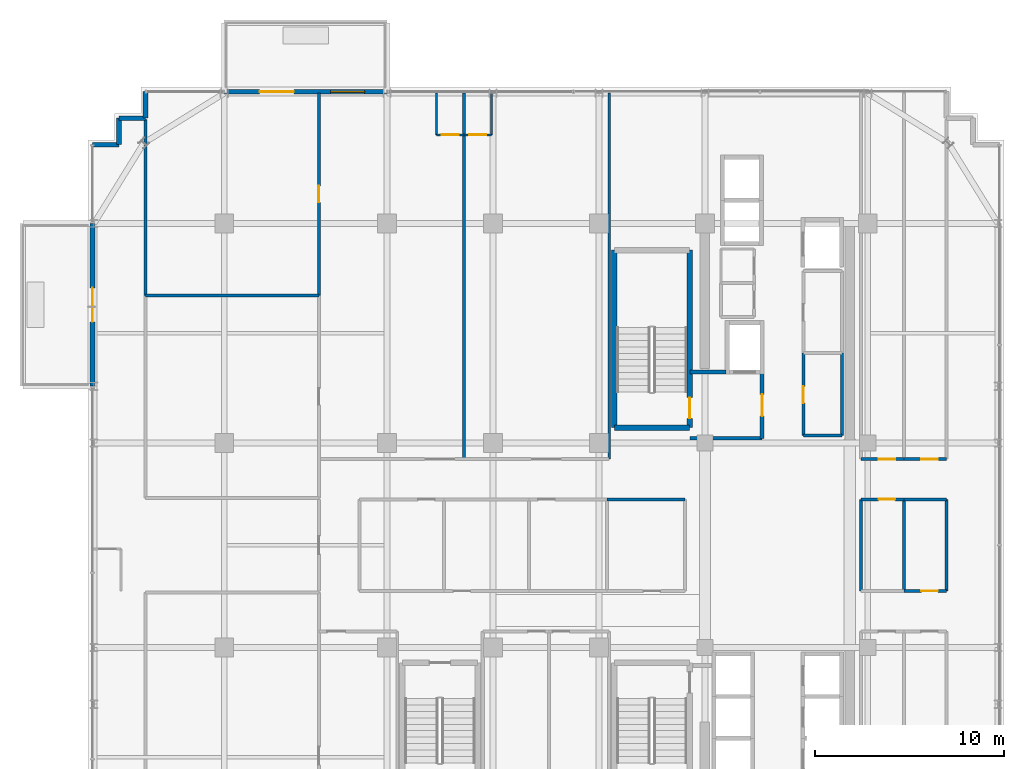
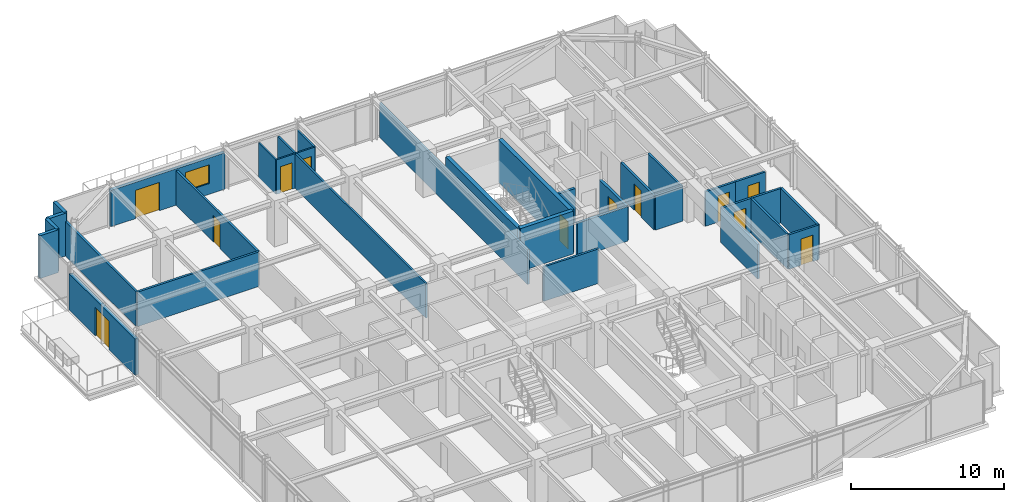
# One storey, part 31 of 36: 33 walls, 12 doors, 1 window, 13 openings.
"""IFC4 building model written with IfcOpenShell, lengths in metres."""

from ifc_helpers import new_model, si_unit, direction, frame, frame_2d, origin, place, context, subcontext, project, spatial, rectangle, extrude, source, transform, mapped, material, layer, layer_set, type_object, element, fill, save


model = new_model("IFC4")

# Units and contexts
model_context = context("Model", 3, precision=1e-05, world=origin(), true_north=direction((0.0, 1.0)))
body_context = subcontext(model_context, "Body", "Model", "MODEL_VIEW")
ifc_project = project(units=[si_unit("LENGTHUNIT", "METRE"), si_unit("AREAUNIT", "SQUARE_METRE"), si_unit("VOLUMEUNIT", "CUBIC_METRE"), si_unit("PLANEANGLEUNIT", "RADIAN"), si_unit("MASSUNIT", "GRAM", prefix="KILO")], contexts=[model_context])

# Site, building, storey
site_placement = place(None, origin())
site = spatial("IfcSite", under=ifc_project, at=site_placement, CompositionType="ELEMENT")
building_placement = place(site_placement, origin())
building = spatial("IfcBuilding", under=site, at=building_placement, Name="Nahalor Promenade Grand Hotel", CompositionType="ELEMENT")
storey_placement = place(building_placement, frame((0.0, 0.0, 241.89990234375)))
storey = spatial("IfcBuildingStorey", under=building, at=storey_placement, Name="L62", CompositionType="ELEMENT", Elevation=241.89990234375)

# Walls
ifc_material_1 = material(Name="Concrete B-50 (C40/50)", Category="concrete")
ifc_layer_1 = layer(ifc_material_1, 0.300048828125)
ifc_layer_set_1 = layer_set([ifc_layer_1], Name="Concrete B-50 (C40/50)")
wall_type_1 = type_object("IfcWallType", Name="Wall-ShaftShear-300", PredefinedType="SHEAR", material=ifc_layer_set_1)
shared_shape_1 = source(origin(), body_context, "Body", "SweptSolid", [
    extrude(rectangle(XDim=3.97998046875, YDim=0.300048828125, at=frame_2d((1.989990234375, 0.0))), origin(), (0.0, 0.0, 1.0), 3.41015625),
])
wall_1_placement = place(storey_placement, frame((3.610107421875, 6.2099609375, 0.0), z_axis=(0.0, 0.0, 1.0), x_axis=(1.0, 0.0, 0.0)))
element("IfcWall", 1, at=wall_1_placement, inside=storey, type_object=wall_type_1, Name="L62 Exit Stair ST1 Shaft Wall S", PredefinedType="SHEAR", context=body_context, shape_type="MappedRepresentation", body=[
    mapped(shared_shape_1, transform((0.0, 0.0, 0.0), scale=1.0)),
])
shared_shape_2 = source(origin(), body_context, "Body", "SweptSolid", [
    extrude(rectangle(XDim=9.380126953125, YDim=0.300048828125, at=frame_2d((4.68994140625, 0.0))), origin(), (0.0, 0.0, 1.0), 3.41015625),
])
wall_2_placement = place(storey_placement, frame((3.610107421875, 6.2099609375, 0.0), z_axis=(0.0, 0.0, 1.0), x_axis=(0.0, 1.0, 0.0)))
element("IfcWall", 2, at=wall_2_placement, inside=storey, type_object=wall_type_1, Name="L62 Exit Stair ST1 Shaft Wall W", PredefinedType="SHEAR", context=body_context, shape_type="MappedRepresentation", body=[
    mapped(shared_shape_2, transform((0.0, 0.0, 0.0), scale=1.0)),
])

# Wall, opening, door
wall_3_placement = place(storey_placement, frame((7.590087890625, 6.2099609375, 0.0), z_axis=(0.0, 0.0, 1.0), x_axis=(0.0, 1.0, 0.0)))
wall_3 = element("IfcWall", 3, at=wall_3_placement, inside=storey, type_object=wall_type_1, Name="L62 Exit Stair ST1 Shaft Wall E", PredefinedType="SHEAR", context=body_context, shape_type="MappedRepresentation", body=[
    mapped(shared_shape_2, transform((0.0, 0.0, 0.0), scale=1.0)),
])
opening_1_placement = place(wall_3_placement, frame((0.489990234375, 0.0, 0.0)))
opening_1 = element("IfcOpeningElement", 4, at=opening_1_placement, cuts=wall_3, Name="Opening D-ST1", PredefinedType="OPENING", context=body_context, shape_type="SweptSolid", body=[
    extrude(rectangle(XDim=1.10009765625, YDim=2.14990234375, at=frame_2d((0.550048828125, 1.074951171875))), frame((0.0, 0.159912109375, 0.0), z_axis=(0.0, -1.0, 0.0), x_axis=(1.0, 0.0, 0.0)), (0.0, 0.0, 1.0), 0.320068359375),
])
ifc_material_2 = material(Name="Steel S355JR", Category="steel")
door_type_1 = type_object("IfcDoorType", Name="Door-StairFire-1100", OperationType="NOTDEFINED", PredefinedType="DOOR", material=ifc_material_2)
shared_shape_3 = source(origin(), body_context, "Body", "SweptSolid", [
    extrude(rectangle(XDim=1.10009765625, YDim=2.14990234375, at=frame_2d((0.550048828125, 1.074951171875))), frame((0.0, 0.02490234375, 0.0), z_axis=(0.0, -1.0, 0.0), x_axis=(1.0, 0.0, 0.0)), (0.0, 0.0, 1.0), 0.050048828125),
])
door_1_placement = place(opening_1_placement, origin())
door_1 = element("IfcDoor", 5, at=door_1_placement, inside=storey, type_object=door_type_1, Name="DR-STAIR-ST1-L62", OperationType="SINGLE_SWING_LEFT", OverallHeight=2.14990234375, OverallWidth=1.10009765625, PredefinedType="DOOR", context=body_context, shape_type="MappedRepresentation", body=[
    mapped(shared_shape_3, transform((0.0, 0.0, 0.0), scale=1.0)),
])
fill(opening_1, door_1)

# Walls
ifc_material_3 = material(Name="Concrete B-40 (C32/40)", Category="concrete")
ifc_layer_2 = layer(ifc_material_3, 0.25)
ifc_layer_set_2 = layer_set([ifc_layer_2], Name="Concrete B-40 (C32/40)")
wall_type_2 = type_object("IfcWallType", Name="Wall-BronzePier-250", PredefinedType="STANDARD", material=ifc_layer_set_2)
shared_shape_4 = source(origin(), body_context, "Body", "SweptSolid", [
    extrude(rectangle(XDim=1.39990234375, YDim=0.25, at=frame_2d((0.699951171875, 0.0))), origin(), (0.0, 0.0, 1.0), 3.41015625),
])
for number, where, z_axis, x_axis, name in (
    (6, (-21.159912109375, 22.56005859375, 0.0), (0.0, 0.0, 1.0), (0.0, 1.0, 0.0), "W-L62-SR-09"),
    (7, (-23.9599609375, 21.159912109375, 0.0), (0.0, 0.0, 1.0), (1.0, 0.0, 0.0), "W-L62-SR-12"),
):
    element("IfcWall", number, at=place(storey_placement, frame(where, z_axis=z_axis, x_axis=x_axis)), inside=storey, type_object=wall_type_2, Name=name, PredefinedType="STANDARD", context=body_context, shape_type="MappedRepresentation", body=[
        mapped(shared_shape_4, transform((0.0, 0.0, 0.0), scale=1.0)),
    ])
shared_shape_5 = source(origin(), body_context, "Body", "SweptSolid", [
    extrude(rectangle(XDim=1.400146484375, YDim=0.25, at=frame_2d((0.7001953125, 0.0))), origin(), (0.0, 0.0, 1.0), 3.41015625),
])
for number, where, z_axis, x_axis, name in (
    (8, (-22.56005859375, 22.56005859375, 0.0), (0.0, 0.0, 1.0), (1.0, 0.0, 0.0), "W-L62-SR-10"),
    (9, (-22.56005859375, 21.159912109375, 0.0), (0.0, 0.0, 1.0), (0.0, 1.0, 0.0), "W-L62-SR-11"),
):
    element("IfcWall", number, at=place(storey_placement, frame(where, z_axis=z_axis, x_axis=x_axis)), inside=storey, type_object=wall_type_2, Name=name, PredefinedType="STANDARD", context=body_context, shape_type="MappedRepresentation", body=[
        mapped(shared_shape_5, transform((0.0, 0.0, 0.0), scale=1.0)),
    ])

# Wall, openings, door, window
ifc_layer_3 = layer(ifc_material_3, 0.260009765625)
ifc_layer_set_3 = layer_set([ifc_layer_3], Name="Concrete B-40 (C32/40)")
wall_type_3 = type_object("IfcWallType", Name="Wall-BalconyWall-260", PredefinedType="STANDARD", material=ifc_layer_set_3)
shared_shape_6 = source(origin(), body_context, "Body", "SweptSolid", [
    extrude(rectangle(XDim=8.60009765625, YDim=0.260009765625, at=frame_2d((4.300048828125, 0.0))), origin(), (0.0, 0.0, 1.0), 2.89013671875),
])
wall_4_placement = place(storey_placement, frame((-17.0, 23.9599609375, 0.0), z_axis=(0.0, 0.0, 1.0), x_axis=(1.0, 0.0, 0.0)))
wall_4 = element("IfcWall", 10, at=wall_4_placement, inside=storey, type_object=wall_type_3, Name="W-L62-BALC-N-2", PredefinedType="STANDARD", context=body_context, shape_type="MappedRepresentation", body=[
    mapped(shared_shape_6, transform((0.0, 0.0, 0.0), scale=1.0)),
])
opening_2_placement = place(wall_4_placement, frame((1.875, 0.0, 0.0)))
opening_2 = element("IfcOpeningElement", 11, at=opening_2_placement, cuts=wall_4, Name="Opening D-BC1", PredefinedType="OPENING", context=body_context, shape_type="SweptSolid", body=[
    extrude(rectangle(XDim=1.800048828125, YDim=2.25, at=frame_2d((0.89990234375, 1.125))), frame((0.0, 0.139892578125, 0.0), z_axis=(0.0, -1.0, 0.0), x_axis=(1.0, 0.0, 0.0)), (0.0, 0.0, 1.0), 0.280029296875),
])
opening_3_placement = place(wall_4_placement, frame((5.625, 0.0, 0.85009765625)))
opening_3 = element("IfcOpeningElement", 12, at=opening_3_placement, cuts=wall_4, Name="Opening WN-01", PredefinedType="OPENING", context=body_context, shape_type="SweptSolid", body=[
    extrude(rectangle(XDim=1.800048828125, YDim=1.5, at=frame_2d((0.89990234375, 0.75))), frame((0.0, 0.139892578125, 0.0), z_axis=(0.0, -1.0, 0.0), x_axis=(1.0, 0.0, 0.0)), (0.0, 0.0, 1.0), 0.280029296875),
])
ifc_material_4 = material(Name="Anodised Bronze Aluminium EN AW-6063 T6", Category="aluminium")
door_type_2 = type_object("IfcDoorType", Name="Door-BalconySlide-1800", OperationType="DOUBLE_DOOR_SLIDING", PredefinedType="DOOR", material=ifc_material_4)
shared_shape_7 = source(origin(), body_context, "Body", "SweptSolid", [
    extrude(rectangle(XDim=1.800048828125, YDim=2.25, at=frame_2d((0.89990234375, 1.125))), frame((0.0, 0.02490234375, 0.0), z_axis=(0.0, -1.0, 0.0), x_axis=(1.0, 0.0, 0.0)), (0.0, 0.0, 1.0), 0.050048828125),
])
door_2_placement = place(opening_2_placement, origin())
door_2 = element("IfcDoor", 13, at=door_2_placement, inside=storey, type_object=door_type_2, Name="DR-L62-BALC-N-2", OperationType="DOUBLE_DOOR_SLIDING", OverallHeight=2.25, OverallWidth=1.800048828125, PredefinedType="DOOR", context=body_context, shape_type="MappedRepresentation", body=[
    mapped(shared_shape_7, transform((0.0, 0.0, 0.0), scale=1.0)),
])
fill(opening_2, door_2)
ifc_material_5 = material(Name="Low-E Laminated Solar Glass", Category="glass")
window_type = type_object("IfcWindowType", Name="Win-ChicagoBay-1800x1500", PartitioningType="SINGLE_PANEL", PredefinedType="WINDOW", material=ifc_material_5)
shared_shape_8 = source(origin(), body_context, "Body", "SweptSolid", [
    extrude(rectangle(XDim=1.800048828125, YDim=1.5, at=frame_2d((0.89990234375, 0.75))), frame((0.0, 0.030029296875, 0.0), z_axis=(0.0, -1.0, 0.0), x_axis=(1.0, 0.0, 0.0)), (0.0, 0.0, 1.0), 0.06005859375),
])
window_placement = place(opening_3_placement, origin())
window = element("IfcWindow", 14, at=window_placement, inside=storey, type_object=window_type, Name="WN-L62-BALC-N-2-1", OverallHeight=1.5, OverallWidth=1.800048828125, PartitioningType="SINGLE_PANEL", PredefinedType="WINDOW", context=body_context, shape_type="MappedRepresentation", body=[
    mapped(shared_shape_8, transform((0.0, 0.0, 0.0), scale=1.0)),
])
fill(opening_3, window)

# Wall, opening, door
wall_5_placement = place(storey_placement, frame((-23.9599609375, 8.39990234375, 0.0), z_axis=(0.0, 0.0, 1.0), x_axis=(0.0, 1.0, 0.0)))
wall_5 = element("IfcWall", 15, at=wall_5_placement, inside=storey, type_object=wall_type_3, Name="W-L62-BALC-W-2", PredefinedType="STANDARD", context=body_context, shape_type="MappedRepresentation", body=[
    mapped(shared_shape_6, transform((0.0, 0.0, 0.0), scale=1.0)),
])
opening_4_placement = place(wall_5_placement, frame((3.39990234375, 0.0, 0.0)))
opening_4 = element("IfcOpeningElement", 16, at=opening_4_placement, cuts=wall_5, Name="Opening D-BC1", PredefinedType="OPENING", context=body_context, shape_type="SweptSolid", body=[
    extrude(rectangle(XDim=1.800048828125, YDim=2.25, at=frame_2d((0.89990234375, 1.125))), frame((0.0, 0.139892578125, 0.0), z_axis=(0.0, -1.0, 0.0), x_axis=(1.0, 0.0, 0.0)), (0.0, 0.0, 1.0), 0.280029296875),
])
door_3_placement = place(opening_4_placement, origin())
door_3 = element("IfcDoor", 17, at=door_3_placement, inside=storey, type_object=door_type_2, Name="DR-L62-BALC-W-2", OperationType="DOUBLE_DOOR_SLIDING", OverallHeight=2.25, OverallWidth=1.800048828125, PredefinedType="DOOR", context=body_context, shape_type="MappedRepresentation", body=[
    mapped(shared_shape_7, transform((0.0, 0.0, 0.0), scale=1.0)),
])
fill(opening_4, door_3)

# Walls
ifc_layer_4 = layer(ifc_material_3, 0.199951171875)
ifc_layer_set_4 = layer_set([ifc_layer_4], Name="Concrete B-40 (C32/40)")
wall_type_4 = type_object("IfcWallType", Name="Wall-PartFire-200", PredefinedType="PARTITIONING", material=ifc_layer_set_4)
shared_shape_9 = source(origin(), body_context, "Body", "SweptSolid", [
    extrude(rectangle(XDim=3.81982421875, YDim=0.199951171875, at=frame_2d((1.909912109375, 0.0))), origin(), (0.0, 0.0, 1.0), 2.75),
])
wall_6_placement = place(storey_placement, frame((7.60009765625, 5.64990234375, 0.0), z_axis=(0.0, 0.0, 1.0), x_axis=(1.0, 0.0, 0.0)))
element("IfcWall", 18, at=wall_6_placement, inside=storey, type_object=wall_type_4, Name="W-L62-FF1-S", PredefinedType="PARTITIONING", context=body_context, shape_type="MappedRepresentation", body=[
    mapped(shared_shape_9, transform((0.0, 0.0, 0.0), scale=1.0)),
])
shared_shape_10 = source(origin(), body_context, "Body", "SweptSolid", [
    extrude(rectangle(XDim=1.89990234375, YDim=0.199951171875, at=frame_2d((0.949951171875, 0.0))), origin(), (0.0, 0.0, 1.0), 2.75),
])
wall_7_placement = place(storey_placement, frame((7.60009765625, 9.14990234375, 0.0), z_axis=(0.0, 0.0, 1.0), x_axis=(1.0, 0.0, 0.0)))
element("IfcWall", 19, at=wall_7_placement, inside=storey, type_object=wall_type_4, Name="W-L62-FF1-N", PredefinedType="PARTITIONING", context=body_context, shape_type="MappedRepresentation", body=[
    mapped(shared_shape_10, transform((0.0, 0.0, 0.0), scale=1.0)),
])

# Wall, opening, door
shared_shape_11 = source(origin(), body_context, "Body", "SweptSolid", [
    extrude(rectangle(XDim=3.5, YDim=0.199951171875, at=frame_2d((1.75, 0.0))), origin(), (0.0, 0.0, 1.0), 2.75),
])
wall_8_placement = place(storey_placement, frame((11.419921875, 5.64990234375, 0.0), z_axis=(0.0, 0.0, 1.0), x_axis=(0.0, 1.0, 0.0)))
wall_8 = element("IfcWall", 20, at=wall_8_placement, inside=storey, type_object=wall_type_4, Name="W-L62-FF1-E", PredefinedType="PARTITIONING", context=body_context, shape_type="MappedRepresentation", body=[
    mapped(shared_shape_11, transform((0.0, 0.0, 0.0), scale=1.0)),
])
opening_5_placement = place(wall_8_placement, frame((1.175048828125, 0.0, 0.0)))
opening_5 = element("IfcOpeningElement", 21, at=opening_5_placement, cuts=wall_8, Name="Opening D-FF1", PredefinedType="OPENING", context=body_context, shape_type="SweptSolid", body=[
    extrude(rectangle(XDim=1.14990234375, YDim=2.14990234375, at=frame_2d((0.574951171875, 1.074951171875))), frame((0.0, 0.10986328125, 0.0), z_axis=(0.0, -1.0, 0.0), x_axis=(1.0, 0.0, 0.0)), (0.0, 0.0, 1.0), 0.219970703125),
])
door_type_3 = type_object("IfcDoorType", Name="Door-FFLobby-1150", OperationType="NOTDEFINED", PredefinedType="DOOR", material=ifc_material_2)
shared_shape_12 = source(origin(), body_context, "Body", "SweptSolid", [
    extrude(rectangle(XDim=1.14990234375, YDim=2.14990234375, at=frame_2d((0.574951171875, 1.074951171875))), frame((0.0, 0.02490234375, 0.0), z_axis=(0.0, -1.0, 0.0), x_axis=(1.0, 0.0, 0.0)), (0.0, 0.0, 1.0), 0.050048828125),
])
door_4_placement = place(opening_5_placement, frame((1.14990234375, 0.0, 0.0), z_axis=(0.0, 0.0, 1.0), x_axis=(-1.0, 0.0, 0.0)))
door_4 = element("IfcDoor", 22, at=door_4_placement, inside=storey, type_object=door_type_3, Name="DR-L62-FFL1", OperationType="SINGLE_SWING_LEFT", OverallHeight=2.14990234375, OverallWidth=1.14990234375, PredefinedType="DOOR", context=body_context, shape_type="MappedRepresentation", body=[
    mapped(shared_shape_12, transform((0.0, 0.0, 0.0), scale=1.0)),
])
fill(opening_5, door_4)

# Wall
ifc_material_6 = material(Name="Acoustic Mineral Gypsum", Category="gypsum")
ifc_layer_5 = layer(ifc_material_6, 0.159912109375)
ifc_layer_set_5 = layer_set([ifc_layer_5], Name="Acoustic Mineral Gypsum")
wall_type_5 = type_object("IfcWallType", Name="Wall-PartCorridor-160", PredefinedType="PARTITIONING", material=ifc_layer_set_5)
shared_shape_13 = source(origin(), body_context, "Body", "SweptSolid", [
    extrude(rectangle(XDim=2.0498046875, YDim=0.159912109375, at=frame_2d((1.02490234375, 0.0))), origin(), (0.0, 0.0, 1.0), 2.75),
])
wall_9_placement = place(storey_placement, frame((13.60009765625, 5.800048828125, 0.0), z_axis=(0.0, 0.0, 1.0), x_axis=(1.0, 0.0, 0.0)))
element("IfcWall", 23, at=wall_9_placement, inside=storey, type_object=wall_type_5, Name="W-L62-FRB1A-S", PredefinedType="PARTITIONING", context=body_context, shape_type="MappedRepresentation", body=[
    mapped(shared_shape_13, transform((0.0, 0.0, 0.0), scale=1.0)),
])

# Wall, opening, door
shared_shape_14 = source(origin(), body_context, "Body", "SweptSolid", [
    extrude(rectangle(XDim=2.255126953125, YDim=0.159912109375, at=frame_2d((1.12744140625, 0.0))), origin(), (0.0, 0.0, 1.0), 2.75),
])
wall_10_placement = place(storey_placement, frame((16.64990234375, 4.550048828125, 0.0), z_axis=(0.0, 0.0, 1.0), x_axis=(1.0, 0.0, 0.0)))
wall_10 = element("IfcWall", 24, at=wall_10_placement, inside=storey, type_object=wall_type_5, Name="W-L62-ENE1-S", PredefinedType="PARTITIONING", context=body_context, shape_type="MappedRepresentation", body=[
    mapped(shared_shape_14, transform((0.0, 0.0, 0.0), scale=1.0)),
])
opening_6_placement = place(wall_10_placement, frame((0.924072265625, 0.0, 0.0)))
opening_6 = element("IfcOpeningElement", 25, at=opening_6_placement, cuts=wall_10, Name="Opening D-03", PredefinedType="OPENING", context=body_context, shape_type="SweptSolid", body=[
    extrude(rectangle(XDim=0.8798828125, YDim=2.10009765625, at=frame_2d((0.43994140625, 1.050048828125))), frame((0.0, 0.08984375, 0.0), z_axis=(0.0, -1.0, 0.0), x_axis=(1.0, 0.0, 0.0)), (0.0, 0.0, 1.0), 0.179931640625),
])
ifc_material_7 = material(Name="Fire-Rated Timber Composite", Category="wood")
door_type_4 = type_object("IfcDoorType", Name="Door-BathSwing-880", OperationType="NOTDEFINED", PredefinedType="DOOR", material=ifc_material_7)
shared_shape_15 = source(origin(), body_context, "Body", "SweptSolid", [
    extrude(rectangle(XDim=0.8798828125, YDim=2.10009765625, at=frame_2d((0.43994140625, 1.050048828125))), frame((0.0, 0.02490234375, 0.0), z_axis=(0.0, -1.0, 0.0), x_axis=(1.0, 0.0, 0.0)), (0.0, 0.0, 1.0), 0.050048828125),
])
door_5_placement = place(opening_6_placement, origin())
door_5 = element("IfcDoor", 26, at=door_5_placement, inside=storey, type_object=door_type_4, Name="DR-L62-ENE1", OperationType="SINGLE_SWING_LEFT", OverallHeight=2.10009765625, OverallWidth=0.8798828125, PredefinedType="DOOR", context=body_context, shape_type="MappedRepresentation", body=[
    mapped(shared_shape_15, transform((0.0, 0.0, 0.0), scale=1.0)),
])
fill(opening_6, door_5)

wall_11_placement = place(storey_placement, frame((16.64990234375, 2.419921875, 0.0), z_axis=(0.0, 0.0, 1.0), x_axis=(1.0, 0.0, 0.0)))
wall_11 = element("IfcWall", 27, at=wall_11_placement, inside=storey, type_object=wall_type_5, Name="W-L62-ECW1-N", PredefinedType="PARTITIONING", context=body_context, shape_type="MappedRepresentation", body=[
    mapped(shared_shape_14, transform((0.0, 0.0, 0.0), scale=1.0)),
])
opening_7_placement = place(wall_11_placement, frame((0.924072265625, 0.0, 0.0)))
opening_7 = element("IfcOpeningElement", 28, at=opening_7_placement, cuts=wall_11, Name="Opening D-03", PredefinedType="OPENING", context=body_context, shape_type="SweptSolid", body=[
    extrude(rectangle(XDim=0.8798828125, YDim=2.10009765625, at=frame_2d((0.43994140625, 1.050048828125))), frame((0.0, 0.08984375, 0.0), z_axis=(0.0, -1.0, 0.0), x_axis=(1.0, 0.0, 0.0)), (0.0, 0.0, 1.0), 0.179931640625),
])
door_6_placement = place(opening_7_placement, frame((0.8798828125, 0.0, 0.0), z_axis=(0.0, 0.0, 1.0), x_axis=(-1.0, 0.0, 0.0)))
door_6 = element("IfcDoor", 29, at=door_6_placement, inside=storey, type_object=door_type_4, Name="DR-L62-ECW1", OperationType="SINGLE_SWING_LEFT", OverallHeight=2.10009765625, OverallWidth=0.8798828125, PredefinedType="DOOR", context=body_context, shape_type="MappedRepresentation", body=[
    mapped(shared_shape_15, transform((0.0, 0.0, 0.0), scale=1.0)),
])
fill(opening_7, door_6)

shared_shape_16 = source(origin(), body_context, "Body", "SweptSolid", [
    extrude(rectangle(XDim=2.2548828125, YDim=0.159912109375, at=frame_2d((1.12744140625, 0.0))), origin(), (0.0, 0.0, 1.0), 2.75),
])
wall_12_placement = place(storey_placement, frame((18.905029296875, 4.550048828125, 0.0), z_axis=(0.0, 0.0, 1.0), x_axis=(1.0, 0.0, 0.0)))
wall_12 = element("IfcWall", 30, at=wall_12_placement, inside=storey, type_object=wall_type_5, Name="W-L62-ENE2-S", PredefinedType="PARTITIONING", context=body_context, shape_type="MappedRepresentation", body=[
    mapped(shared_shape_16, transform((0.0, 0.0, 0.0), scale=1.0)),
])
opening_8_placement = place(wall_12_placement, frame((0.924072265625, 0.0, 0.0)))
opening_8 = element("IfcOpeningElement", 31, at=opening_8_placement, cuts=wall_12, Name="Opening D-03", PredefinedType="OPENING", context=body_context, shape_type="SweptSolid", body=[
    extrude(rectangle(XDim=0.8798828125, YDim=2.10009765625, at=frame_2d((0.43994140625, 1.050048828125))), frame((0.0, 0.08984375, 0.0), z_axis=(0.0, -1.0, 0.0), x_axis=(1.0, 0.0, 0.0)), (0.0, 0.0, 1.0), 0.179931640625),
])
door_7_placement = place(opening_8_placement, origin())
door_7 = element("IfcDoor", 32, at=door_7_placement, inside=storey, type_object=door_type_4, Name="DR-L62-ENE2", OperationType="SINGLE_SWING_RIGHT", OverallHeight=2.10009765625, OverallWidth=0.8798828125, PredefinedType="DOOR", context=body_context, shape_type="MappedRepresentation", body=[
    mapped(shared_shape_15, transform((0.0, 0.0, 0.0), scale=1.0)),
])
fill(opening_8, door_7)

wall_13_placement = place(storey_placement, frame((18.905029296875, -2.419921875, 0.0), z_axis=(0.0, 0.0, 1.0), x_axis=(1.0, 0.0, 0.0)))
wall_13 = element("IfcWall", 33, at=wall_13_placement, inside=storey, type_object=wall_type_5, Name="W-L62-ECW2-S", PredefinedType="PARTITIONING", context=body_context, shape_type="MappedRepresentation", body=[
    mapped(shared_shape_16, transform((0.0, 0.0, 0.0), scale=1.0)),
])
opening_9_placement = place(wall_13_placement, frame((0.924072265625, 0.0, 0.0)))
opening_9 = element("IfcOpeningElement", 34, at=opening_9_placement, cuts=wall_13, Name="Opening D-03", PredefinedType="OPENING", context=body_context, shape_type="SweptSolid", body=[
    extrude(rectangle(XDim=0.8798828125, YDim=2.10009765625, at=frame_2d((0.43994140625, 1.050048828125))), frame((0.0, 0.08984375, 0.0), z_axis=(0.0, -1.0, 0.0), x_axis=(1.0, 0.0, 0.0)), (0.0, 0.0, 1.0), 0.179931640625),
])
door_8_placement = place(opening_9_placement, origin())
door_8 = element("IfcDoor", 35, at=door_8_placement, inside=storey, type_object=door_type_4, Name="DR-L62-ECW2", OperationType="SINGLE_SWING_RIGHT", OverallHeight=2.10009765625, OverallWidth=0.8798828125, PredefinedType="DOOR", context=body_context, shape_type="MappedRepresentation", body=[
    mapped(shared_shape_15, transform((0.0, 0.0, 0.0), scale=1.0)),
])
fill(opening_9, door_8)

# Wall
wall_14_placement = place(storey_placement, frame((18.905029296875, 2.419921875, 0.0), z_axis=(0.0, 0.0, 1.0), x_axis=(1.0, 0.0, 0.0)))
element("IfcWall", 36, at=wall_14_placement, inside=storey, type_object=wall_type_5, Name="W-L62-ECW2-N", PredefinedType="PARTITIONING", context=body_context, shape_type="MappedRepresentation", body=[
    mapped(shared_shape_16, transform((0.0, 0.0, 0.0), scale=1.0)),
])

# Wall, opening, door
ifc_layer_6 = layer(ifc_material_6, 0.1201171875)
ifc_layer_set_6 = layer_set([ifc_layer_6], Name="Acoustic Mineral Gypsum")
wall_type_6 = type_object("IfcWallType", Name="Wall-PartBath-120", PredefinedType="PARTITIONING", material=ifc_layer_set_6)
shared_shape_17 = source(origin(), body_context, "Body", "SweptSolid", [
    extrude(rectangle(XDim=1.449951171875, YDim=0.1201171875, at=frame_2d((0.72509765625, 0.0))), origin(), (0.0, 0.0, 1.0), 2.75),
])
wall_15_placement = place(storey_placement, frame((-5.780029296875, 21.679931640625, 0.0), z_axis=(0.0, 0.0, 1.0), x_axis=(1.0, 0.0, 0.0)))
wall_15 = element("IfcWall", 37, at=wall_15_placement, inside=storey, type_object=wall_type_6, Name="W-L62-N1-BH", PredefinedType="PARTITIONING", context=body_context, shape_type="MappedRepresentation", body=[
    mapped(shared_shape_17, transform((0.0, 0.0, 0.0), scale=1.0)),
])
opening_10_placement = place(wall_15_placement, frame((0.284912109375, 0.0, 0.0)))
opening_10 = element("IfcOpeningElement", 38, at=opening_10_placement, cuts=wall_15, Name="Opening D-03", PredefinedType="OPENING", context=body_context, shape_type="SweptSolid", body=[
    extrude(rectangle(XDim=0.8798828125, YDim=2.10009765625, at=frame_2d((0.43994140625, 1.050048828125))), frame((0.0, 0.070068359375, 0.0), z_axis=(0.0, -1.0, 0.0), x_axis=(1.0, 0.0, 0.0)), (0.0, 0.0, 1.0), 0.14013671875),
])
door_9_placement = place(opening_10_placement, origin())
door_9 = element("IfcDoor", 39, at=door_9_placement, inside=storey, type_object=door_type_4, Name="DR-L62-N1-BATH", OperationType="SINGLE_SWING_LEFT", OverallHeight=2.10009765625, OverallWidth=0.8798828125, PredefinedType="DOOR", context=body_context, shape_type="MappedRepresentation", body=[
    mapped(shared_shape_15, transform((0.0, 0.0, 0.0), scale=1.0)),
])
fill(opening_10, door_9)

# Walls
shared_shape_18 = source(origin(), body_context, "Body", "SweptSolid", [
    extrude(rectangle(XDim=2.219970703125, YDim=0.1201171875, at=frame_2d((1.10986328125, 0.0))), origin(), (0.0, 0.0, 1.0), 2.75),
])
for number, where, z_axis, x_axis, name in (
    (40, (-5.780029296875, 21.679931640625, 0.0), (0.0, 0.0, 1.0), (0.0, 1.0, 0.0), "W-L62-N1-BV"),
    (41, (-2.8798828125, 21.679931640625, 0.0), (0.0, 0.0, 1.0), (0.0, 1.0, 0.0), "W-L62-N2-BV"),
):
    element("IfcWall", number, at=place(storey_placement, frame(where, z_axis=z_axis, x_axis=x_axis)), inside=storey, type_object=wall_type_6, Name=name, PredefinedType="PARTITIONING", context=body_context, shape_type="MappedRepresentation", body=[
        mapped(shared_shape_18, transform((0.0, 0.0, 0.0), scale=1.0)),
    ])
ifc_layer_7 = layer(ifc_material_6, 0.139892578125)
ifc_layer_set_7 = layer_set([ifc_layer_7], Name="Acoustic Mineral Gypsum")
wall_type_7 = type_object("IfcWallType", Name="Wall-PartSuite-140", PredefinedType="PARTITIONING", material=ifc_layer_set_7)
shared_shape_19 = source(origin(), body_context, "Body", "SweptSolid", [
    extrude(rectangle(XDim=19.349853515625, YDim=0.139892578125, at=frame_2d((9.6748046875, 0.0))), origin(), (0.0, 0.0, 1.0), 2.75),
])
for number, where, z_axis, x_axis, name in (
    (42, (3.340087890625, 4.550048828125, 0.0), (0.0, 0.0, 1.0), (0.0, 1.0, 0.0), "W-L62-NW-ENDE"),
    (43, (-4.330078125, 4.550048828125, 0.0), (0.0, 0.0, 1.0), (0.0, 1.0, 0.0), "W-L62-NP-1"),
):
    element("IfcWall", number, at=place(storey_placement, frame(where, z_axis=z_axis, x_axis=x_axis)), inside=storey, type_object=wall_type_7, Name=name, PredefinedType="PARTITIONING", context=body_context, shape_type="MappedRepresentation", body=[
        mapped(shared_shape_19, transform((0.0, 0.0, 0.0), scale=1.0)),
    ])

# Wall, opening, door
shared_shape_20 = source(origin(), body_context, "Body", "SweptSolid", [
    extrude(rectangle(XDim=1.4501953125, YDim=0.1201171875, at=frame_2d((0.72509765625, 0.0))), origin(), (0.0, 0.0, 1.0), 2.75),
])
wall_16_placement = place(storey_placement, frame((-4.330078125, 21.679931640625, 0.0), z_axis=(0.0, 0.0, 1.0), x_axis=(1.0, 0.0, 0.0)))
wall_16 = element("IfcWall", 44, at=wall_16_placement, inside=storey, type_object=wall_type_6, Name="W-L62-N2-BH", PredefinedType="PARTITIONING", context=body_context, shape_type="MappedRepresentation", body=[
    mapped(shared_shape_20, transform((0.0, 0.0, 0.0), scale=1.0)),
])
opening_11_placement = place(wall_16_placement, frame((0.284912109375, 0.0, 0.0)))
opening_11 = element("IfcOpeningElement", 45, at=opening_11_placement, cuts=wall_16, Name="Opening D-03", PredefinedType="OPENING", context=body_context, shape_type="SweptSolid", body=[
    extrude(rectangle(XDim=0.8798828125, YDim=2.10009765625, at=frame_2d((0.43994140625, 1.050048828125))), frame((0.0, 0.070068359375, 0.0), z_axis=(0.0, -1.0, 0.0), x_axis=(1.0, 0.0, 0.0)), (0.0, 0.0, 1.0), 0.14013671875),
])
door_10_placement = place(opening_11_placement, origin())
door_10 = element("IfcDoor", 46, at=door_10_placement, inside=storey, type_object=door_type_4, Name="DR-L62-N2-BATH", OperationType="SINGLE_SWING_RIGHT", OverallHeight=2.10009765625, OverallWidth=0.8798828125, PredefinedType="DOOR", context=body_context, shape_type="MappedRepresentation", body=[
    mapped(shared_shape_15, transform((0.0, 0.0, 0.0), scale=1.0)),
])
fill(opening_11, door_10)

# Walls
shared_shape_21 = source(origin(), body_context, "Body", "SweptSolid", [
    extrude(rectangle(XDim=4.83984375, YDim=0.159912109375, at=frame_2d((2.419921875, 0.0))), origin(), (0.0, 0.0, 1.0), 2.75),
])
for number, where, z_axis, x_axis, name in (
    (47, (16.64990234375, -2.419921875, 0.0), (0.0, 0.0, 1.0), (0.0, 1.0, 0.0), "W-L62-ECW1-W"),
    (48, (18.905029296875, -2.419921875, 0.0), (0.0, 0.0, 1.0), (0.0, 1.0, 0.0), "W-L62-ECW1-E"),
    (49, (21.159912109375, -2.419921875, 0.0), (0.0, 0.0, 1.0), (0.0, 1.0, 0.0), "W-L62-ECW2-E"),
):
    element("IfcWall", number, at=place(storey_placement, frame(where, z_axis=z_axis, x_axis=x_axis)), inside=storey, type_object=wall_type_5, Name=name, PredefinedType="PARTITIONING", context=body_context, shape_type="MappedRepresentation", body=[
        mapped(shared_shape_21, transform((0.0, 0.0, 0.0), scale=1.0)),
    ])

# Wall, opening, door
shared_shape_22 = source(origin(), body_context, "Body", "SweptSolid", [
    extrude(rectangle(XDim=4.349853515625, YDim=0.159912109375, at=frame_2d((2.1748046875, 0.0))), origin(), (0.0, 0.0, 1.0), 2.75),
])
wall_17_placement = place(storey_placement, frame((13.60009765625, 5.800048828125, 0.0), z_axis=(0.0, 0.0, 1.0), x_axis=(0.0, 1.0, 0.0)))
wall_17 = element("IfcWall", 50, at=wall_17_placement, inside=storey, type_object=wall_type_5, Name="W-L62-FRB1A-W", PredefinedType="PARTITIONING", context=body_context, shape_type="MappedRepresentation", body=[
    mapped(shared_shape_22, transform((0.0, 0.0, 0.0), scale=1.0)),
])
opening_12_placement = place(wall_17_placement, frame((1.7099609375, 0.0, 0.0)))
opening_12 = element("IfcOpeningElement", 51, at=opening_12_placement, cuts=wall_17, Name="Opening D-03", PredefinedType="OPENING", context=body_context, shape_type="SweptSolid", body=[
    extrude(rectangle(XDim=0.8798828125, YDim=2.10009765625, at=frame_2d((0.43994140625, 1.050048828125))), frame((0.0, 0.08984375, 0.0), z_axis=(0.0, -1.0, 0.0), x_axis=(1.0, 0.0, 0.0)), (0.0, 0.0, 1.0), 0.179931640625),
])
door_11_placement = place(opening_12_placement, frame((0.8798828125, 0.0, 0.0), z_axis=(0.0, 0.0, 1.0), x_axis=(-1.0, 0.0, 0.0)))
door_11 = element("IfcDoor", 52, at=door_11_placement, inside=storey, type_object=door_type_4, Name="DR-L62-FRB1A", OperationType="SINGLE_SWING_LEFT", OverallHeight=2.10009765625, OverallWidth=0.8798828125, PredefinedType="DOOR", context=body_context, shape_type="MappedRepresentation", body=[
    mapped(shared_shape_15, transform((0.0, 0.0, 0.0), scale=1.0)),
])
fill(opening_12, door_11)

# Walls
wall_18_placement = place(storey_placement, frame((15.64990234375, 5.800048828125, 0.0), z_axis=(0.0, 0.0, 1.0), x_axis=(0.0, 1.0, 0.0)))
element("IfcWall", 53, at=wall_18_placement, inside=storey, type_object=wall_type_5, Name="W-L62-FRB1A-E", PredefinedType="PARTITIONING", context=body_context, shape_type="MappedRepresentation", body=[
    mapped(shared_shape_22, transform((0.0, 0.0, 0.0), scale=1.0)),
])
shared_shape_23 = source(origin(), body_context, "Body", "SweptSolid", [
    extrude(rectangle(XDim=4.128173828125, YDim=0.159912109375, at=frame_2d((2.06396484375, 0.0))), origin(), (0.0, 0.0, 1.0), 2.75),
])
wall_19_placement = place(storey_placement, frame((3.221923828125, 2.419921875, 0.0), z_axis=(0.0, 0.0, 1.0), x_axis=(1.0, 0.0, 0.0)))
element("IfcWall", 54, at=wall_19_placement, inside=storey, type_object=wall_type_5, Name="W-L62-CM4-N", PredefinedType="PARTITIONING", context=body_context, shape_type="MappedRepresentation", body=[
    mapped(shared_shape_23, transform((0.0, 0.0, 0.0), scale=1.0)),
])

# Wall, opening, door
shared_shape_24 = source(origin(), body_context, "Body", "SweptSolid", [
    extrude(rectangle(XDim=10.699951171875, YDim=0.159912109375, at=frame_2d((5.35009765625, 0.0))), origin(), (0.0, 0.0, 1.0), 2.75),
])
wall_20_placement = place(storey_placement, frame((-12.0, 13.199951171875, 0.0), z_axis=(0.0, 0.0, 1.0), x_axis=(0.0, 1.0, 0.0)))
wall_20 = element("IfcWall", 55, at=wall_20_placement, inside=storey, type_object=wall_type_5, Name="W-L62-NW0B-E", PredefinedType="PARTITIONING", context=body_context, shape_type="MappedRepresentation", body=[
    mapped(shared_shape_24, transform((0.0, 0.0, 0.0), scale=1.0)),
])
opening_13_placement = place(wall_20_placement, frame((4.909912109375, 0.0, 0.0)))
opening_13 = element("IfcOpeningElement", 56, at=opening_13_placement, cuts=wall_20, Name="Opening D-03", PredefinedType="OPENING", context=body_context, shape_type="SweptSolid", body=[
    extrude(rectangle(XDim=0.8798828125, YDim=2.10009765625, at=frame_2d((0.43994140625, 1.050048828125))), frame((0.0, 0.08984375, 0.0), z_axis=(0.0, -1.0, 0.0), x_axis=(1.0, 0.0, 0.0)), (0.0, 0.0, 1.0), 0.179931640625),
])
door_12_placement = place(opening_13_placement, origin())
door_12 = element("IfcDoor", 57, at=door_12_placement, inside=storey, type_object=door_type_4, Name="DR-L62-NW0B", OperationType="SINGLE_SWING_RIGHT", OverallHeight=2.10009765625, OverallWidth=0.8798828125, PredefinedType="DOOR", context=body_context, shape_type="MappedRepresentation", body=[
    mapped(shared_shape_15, transform((0.0, 0.0, 0.0), scale=1.0)),
])
fill(opening_13, door_12)

# Walls
shared_shape_25 = source(origin(), body_context, "Body", "SweptSolid", [
    extrude(rectangle(XDim=9.280029296875, YDim=0.159912109375, at=frame_2d((4.64013671875, 0.0))), origin(), (0.0, 0.0, 1.0), 2.75),
])
wall_21_placement = place(storey_placement, frame((-21.159912109375, 13.199951171875, 0.0), z_axis=(0.0, 0.0, 1.0), x_axis=(0.0, 1.0, 0.0)))
element("IfcWall", 58, at=wall_21_placement, inside=storey, type_object=wall_type_5, Name="W-L62-NW0B-W", PredefinedType="PARTITIONING", context=body_context, shape_type="MappedRepresentation", body=[
    mapped(shared_shape_25, transform((0.0, 0.0, 0.0), scale=1.0)),
])
shared_shape_26 = source(origin(), body_context, "Body", "SweptSolid", [
    extrude(rectangle(XDim=9.159912109375, YDim=0.159912109375, at=frame_2d((4.580078125, 0.0))), origin(), (0.0, 0.0, 1.0), 2.75),
])
wall_22_placement = place(storey_placement, frame((-21.159912109375, 13.199951171875, 0.0), z_axis=(0.0, 0.0, 1.0), x_axis=(1.0, 0.0, 0.0)))
element("IfcWall", 59, at=wall_22_placement, inside=storey, type_object=wall_type_5, Name="W-L62-NW0A-N", PredefinedType="PARTITIONING", context=body_context, shape_type="MappedRepresentation", body=[
    mapped(shared_shape_26, transform((0.0, 0.0, 0.0), scale=1.0)),
])

save(model, "model.ifc")
